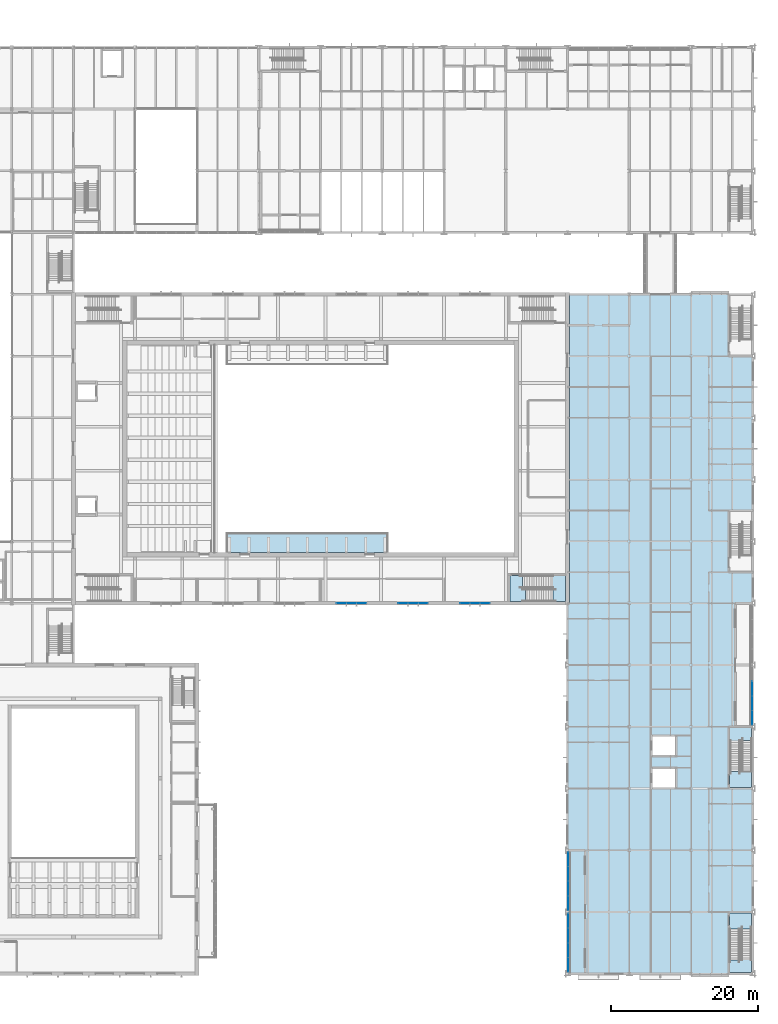
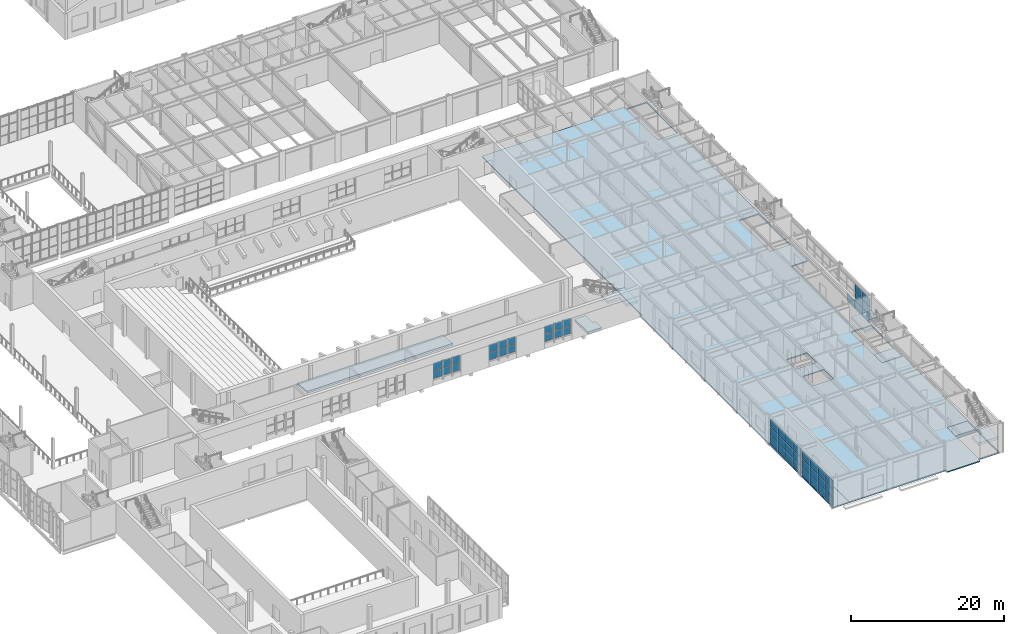
# One storey, part 56 of 127: 49 plates, 9 slabs, 9 elements without a shape of their own.
"""IFC4 building model written with IfcOpenShell, lengths in metres."""

from ifc_helpers import new_model, si_unit, direction, frame, origin, origin_2d, place, context, subcontext, project, spatial, polyline, rectangle, outline, extrude, material, layer, layer_set, type_object, element, aggregate, save


model = new_model("IFC4")

# Units and contexts
model_context = context("Model", 3, precision=1e-05, world=origin(), true_north=direction((0.0, 1.0)))
body_context = subcontext(model_context, "Body", "Model", "MODEL_VIEW")
ifc_project = project(units=[si_unit("LENGTHUNIT", "METRE"), si_unit("AREAUNIT", "SQUARE_METRE"), si_unit("VOLUMEUNIT", "CUBIC_METRE"), si_unit("PLANEANGLEUNIT", "RADIAN"), si_unit("MASSUNIT", "GRAM", prefix="KILO")], contexts=[model_context])

# Site, building, storey
site_placement = place(None, origin())
site = spatial("IfcSite", under=ifc_project, at=site_placement, CompositionType="ELEMENT")
building_placement = place(site_placement, origin())
building = spatial("IfcBuilding", under=site, at=building_placement, Name="Ljudholm Concert House", CompositionType="ELEMENT")
storey_placement = place(building_placement, frame((0.0, 0.0, 5.39990234375)))
storey = spatial("IfcBuildingStorey", under=building, at=storey_placement, Name="L01", CompositionType="ELEMENT", Elevation=5.39990234375)

# Slabs
ifc_material_1 = material(Name="Concrete 5,000 psi", Category="concrete")
ifc_layer_1 = layer(ifc_material_1, 0.179931640625)
ifc_layer_set_1 = layer_set([ifc_layer_1], Name="Concrete 5,000 psi")
slab_type_1 = type_object("IfcSlabType", Name="COMPOSITE FLOOR SLAB 180", PredefinedType="FLOOR", material=ifc_layer_set_1)
slab_1_placement = place(storey_placement, frame((0.0, 0.0, -0.179931640625)))
element("IfcSlab", 1, at=slab_1_placement, inside=storey, type_object=slab_type_1, Name="Composite floor slab", PredefinedType="FLOOR", context=body_context, shape_type="SweptSolid", body=[
    extrude(outline(polyline([(113.389892578125, 3.5703125), (113.389892578125, 4.0), (98.800048828125, 4.0), (98.800048828125, 20.800048828125), (96.39990234375, 20.800048828125), (96.39990234375, 54.39990234375), (96.64990234375, 54.39990234375), (96.64990234375, 96.39990234375), (113.389892578125, 96.39990234375), (113.389892578125, 96.82958984375), (118.324951171875, 96.82958984375), (118.324951171875, 96.39990234375), (121.60009765625, 96.39990234375), (121.60009765625, 54.39990234375), (119.199951171875, 54.39990234375), (119.199951171875, 37.60009765625), (121.60009765625, 37.60009765625), (121.60009765625, 4.0), (118.324951171875, 4.0), (118.324951171875, 3.5703125), (113.389892578125, 3.5703125)]), holes=[polyline([(121.449951171875, 12.27490234375), (118.449951171875, 12.27490234375), (118.449951171875, 4.14990234375), (121.449951171875, 4.14990234375), (121.449951171875, 12.27490234375)]), polyline([(111.074951171875, 31.875), (107.925048828125, 31.875), (107.925048828125, 29.324951171875), (111.074951171875, 29.324951171875), (111.074951171875, 31.875)]), polyline([(121.449951171875, 37.47509765625), (118.449951171875, 37.47509765625), (118.449951171875, 29.324951171875), (121.449951171875, 29.324951171875), (121.449951171875, 37.47509765625)]), polyline([(111.074951171875, 36.27490234375), (107.925048828125, 36.27490234375), (107.925048828125, 33.72509765625), (111.074951171875, 33.72509765625), (111.074951171875, 36.27490234375)]), polyline([(121.449951171875, 66.875), (118.449951171875, 66.875), (118.449951171875, 58.72509765625), (121.449951171875, 58.72509765625), (121.449951171875, 66.875)]), polyline([(121.449951171875, 96.25), (118.449951171875, 96.25), (118.449951171875, 88.125), (121.449951171875, 88.125), (121.449951171875, 96.25)])]), origin(), (0.0, 0.0, 1.0), 0.179931640625),
])
ifc_material_2 = material(Name="Concrete 5,000 psi", Category="concrete")
ifc_layer_2 = layer(ifc_material_2, 0.179931640625)
ifc_layer_set_2 = layer_set([ifc_layer_2], Name="Concrete 5,000 psi")
slab_type_2 = type_object("IfcSlabType", Name="COMPOSITE FLOOR SLAB 180 EXTERNAL", PredefinedType="FLOOR", material=ifc_layer_set_2)
slab_2_placement = place(storey_placement, frame((0.0, 0.0, -0.179931640625)))
element("IfcSlab", 2, at=slab_2_placement, inside=storey, type_object=slab_type_2, Name="Loggia floor slab", PredefinedType="FLOOR", context=body_context, shape_type="SweptSolid", body=[
    extrude(outline(polyline([(96.39990234375, 4.0), (98.800048828125, 4.0), (98.800048828125, 20.800048828125), (96.39990234375, 20.800048828125), (96.39990234375, 4.0)])), origin(), (0.0, 0.0, 1.0), 0.179931640625),
])

# Curtain wall, plates
ifc_material_3 = material(Name="Aluminium curtain wall with impact-rated laminated glass", Category="aluminium")
curtain_wall_type_1 = type_object("IfcCurtainWallType", Name="CURTAIN WALL 1400", PredefinedType="NOTDEFINED", material=ifc_material_3)
curtain_wall_1_placement = place(storey_placement, origin())
curtain_wall_1 = element("IfcCurtainWall", 3, at=curtain_wall_1_placement, inside=storey, type_object=curtain_wall_type_1, Name="Promenade curtain wall", PredefinedType="NOTDEFINED")
ifc_material_4 = material(Name="Impact-rated laminated glass", Category="glass")
ifc_layer_3 = layer(ifc_material_4, 0.028076171875)
ifc_layer_set_3 = layer_set([ifc_layer_3], Name="Impact-rated laminated glass")
plate_type_1 = type_object("IfcPlateType", Name="CURTAIN PANEL 28", PredefinedType="CURTAIN_PANEL", material=ifc_layer_set_3)
plate_1_placement = place(storey_placement, frame((65.635009765625, 54.39990234375, 0.960205078125), z_axis=(0.0, 0.0, 1.0), x_axis=(1.0, 0.0, 0.0)))
plate_1 = element("IfcPlate", 4, at=plate_1_placement, type_object=plate_type_1, Name="Curtain wall panel", PredefinedType="CURTAIN_PANEL", context=body_context, shape_type="SweptSolid", body=[
    extrude(rectangle(XDim=1.2900390625, YDim=0.028076171875, at=origin_2d()), origin(), (0.0, 0.0, 1.0), 1.2099609375),
])
plate_2_placement = place(storey_placement, frame((65.635009765625, 54.39990234375, 2.230224609375), z_axis=(0.0, 0.0, 1.0), x_axis=(1.0, 0.0, 0.0)))
plate_2 = element("IfcPlate", 5, at=plate_2_placement, type_object=plate_type_1, Name="Curtain wall panel", PredefinedType="CURTAIN_PANEL", context=body_context, shape_type="SweptSolid", body=[
    extrude(rectangle(XDim=1.2900390625, YDim=0.028076171875, at=origin_2d()), origin(), (0.0, 0.0, 1.0), 1.2099609375),
])
plate_3_placement = place(storey_placement, frame((67.0, 54.39990234375, 0.960205078125), z_axis=(0.0, 0.0, 1.0), x_axis=(1.0, 0.0, 0.0)))
plate_3 = element("IfcPlate", 6, at=plate_3_placement, type_object=plate_type_1, Name="Curtain wall panel", PredefinedType="CURTAIN_PANEL", context=body_context, shape_type="SweptSolid", body=[
    extrude(rectangle(XDim=1.320068359375, YDim=0.028076171875, at=origin_2d()), origin(), (0.0, 0.0, 1.0), 1.2099609375),
])
plate_4_placement = place(storey_placement, frame((67.0, 54.39990234375, 2.230224609375), z_axis=(0.0, 0.0, 1.0), x_axis=(1.0, 0.0, 0.0)))
plate_4 = element("IfcPlate", 7, at=plate_4_placement, type_object=plate_type_1, Name="Curtain wall panel", PredefinedType="CURTAIN_PANEL", context=body_context, shape_type="SweptSolid", body=[
    extrude(rectangle(XDim=1.320068359375, YDim=0.028076171875, at=origin_2d()), origin(), (0.0, 0.0, 1.0), 1.2099609375),
])
plate_5_placement = place(storey_placement, frame((68.364990234375, 54.39990234375, 0.960205078125), z_axis=(0.0, 0.0, 1.0), x_axis=(1.0, 0.0, 0.0)))
plate_5 = element("IfcPlate", 8, at=plate_5_placement, type_object=plate_type_1, Name="Curtain wall panel", PredefinedType="CURTAIN_PANEL", context=body_context, shape_type="SweptSolid", body=[
    extrude(rectangle(XDim=1.2900390625, YDim=0.028076171875, at=origin_2d()), origin(), (0.0, 0.0, 1.0), 1.2099609375),
])
plate_6_placement = place(storey_placement, frame((68.364990234375, 54.39990234375, 2.230224609375), z_axis=(0.0, 0.0, 1.0), x_axis=(1.0, 0.0, 0.0)))
plate_6 = element("IfcPlate", 9, at=plate_6_placement, type_object=plate_type_1, Name="Curtain wall panel", PredefinedType="CURTAIN_PANEL", context=body_context, shape_type="SweptSolid", body=[
    extrude(rectangle(XDim=1.2900390625, YDim=0.028076171875, at=origin_2d()), origin(), (0.0, 0.0, 1.0), 1.2099609375),
])
aggregate(curtain_wall_1, [plate_1, plate_2, plate_3, plate_4, plate_5, plate_6])

curtain_wall_2_placement = place(storey_placement, origin())
curtain_wall_2 = element("IfcCurtainWall", 10, at=curtain_wall_2_placement, inside=storey, type_object=curtain_wall_type_1, Name="Promenade curtain wall", PredefinedType="NOTDEFINED")
plate_7_placement = place(storey_placement, frame((74.034912109375, 54.39990234375, 0.960205078125), z_axis=(0.0, 0.0, 1.0), x_axis=(1.0, 0.0, 0.0)))
plate_7 = element("IfcPlate", 11, at=plate_7_placement, type_object=plate_type_1, Name="Curtain wall panel", PredefinedType="CURTAIN_PANEL", context=body_context, shape_type="SweptSolid", body=[
    extrude(rectangle(XDim=1.2900390625, YDim=0.028076171875, at=origin_2d()), origin(), (0.0, 0.0, 1.0), 1.2099609375),
])
plate_8_placement = place(storey_placement, frame((74.034912109375, 54.39990234375, 2.230224609375), z_axis=(0.0, 0.0, 1.0), x_axis=(1.0, 0.0, 0.0)))
plate_8 = element("IfcPlate", 12, at=plate_8_placement, type_object=plate_type_1, Name="Curtain wall panel", PredefinedType="CURTAIN_PANEL", context=body_context, shape_type="SweptSolid", body=[
    extrude(rectangle(XDim=1.2900390625, YDim=0.028076171875, at=origin_2d()), origin(), (0.0, 0.0, 1.0), 1.2099609375),
])
plate_9_placement = place(storey_placement, frame((75.39990234375, 54.39990234375, 0.960205078125), z_axis=(0.0, 0.0, 1.0), x_axis=(1.0, 0.0, 0.0)))
plate_9 = element("IfcPlate", 13, at=plate_9_placement, type_object=plate_type_1, Name="Curtain wall panel", PredefinedType="CURTAIN_PANEL", context=body_context, shape_type="SweptSolid", body=[
    extrude(rectangle(XDim=1.320068359375, YDim=0.028076171875, at=origin_2d()), origin(), (0.0, 0.0, 1.0), 1.2099609375),
])
plate_10_placement = place(storey_placement, frame((75.39990234375, 54.39990234375, 2.230224609375), z_axis=(0.0, 0.0, 1.0), x_axis=(1.0, 0.0, 0.0)))
plate_10 = element("IfcPlate", 14, at=plate_10_placement, type_object=plate_type_1, Name="Curtain wall panel", PredefinedType="CURTAIN_PANEL", context=body_context, shape_type="SweptSolid", body=[
    extrude(rectangle(XDim=1.320068359375, YDim=0.028076171875, at=origin_2d()), origin(), (0.0, 0.0, 1.0), 1.2099609375),
])
plate_11_placement = place(storey_placement, frame((76.764892578125, 54.39990234375, 0.960205078125), z_axis=(0.0, 0.0, 1.0), x_axis=(1.0, 0.0, 0.0)))
plate_11 = element("IfcPlate", 15, at=plate_11_placement, type_object=plate_type_1, Name="Curtain wall panel", PredefinedType="CURTAIN_PANEL", context=body_context, shape_type="SweptSolid", body=[
    extrude(rectangle(XDim=1.2900390625, YDim=0.028076171875, at=origin_2d()), origin(), (0.0, 0.0, 1.0), 1.2099609375),
])
plate_12_placement = place(storey_placement, frame((76.764892578125, 54.39990234375, 2.230224609375), z_axis=(0.0, 0.0, 1.0), x_axis=(1.0, 0.0, 0.0)))
plate_12 = element("IfcPlate", 16, at=plate_12_placement, type_object=plate_type_1, Name="Curtain wall panel", PredefinedType="CURTAIN_PANEL", context=body_context, shape_type="SweptSolid", body=[
    extrude(rectangle(XDim=1.2900390625, YDim=0.028076171875, at=origin_2d()), origin(), (0.0, 0.0, 1.0), 1.2099609375),
])
aggregate(curtain_wall_2, [plate_7, plate_8, plate_9, plate_10, plate_11, plate_12])

curtain_wall_3_placement = place(storey_placement, origin())
curtain_wall_3 = element("IfcCurtainWall", 17, at=curtain_wall_3_placement, inside=storey, type_object=curtain_wall_type_1, Name="Promenade curtain wall", PredefinedType="NOTDEFINED")
plate_13_placement = place(storey_placement, frame((82.43505859375, 54.39990234375, 0.960205078125), z_axis=(0.0, 0.0, 1.0), x_axis=(1.0, 0.0, 0.0)))
plate_13 = element("IfcPlate", 18, at=plate_13_placement, type_object=plate_type_1, Name="Curtain wall panel", PredefinedType="CURTAIN_PANEL", context=body_context, shape_type="SweptSolid", body=[
    extrude(rectangle(XDim=1.2900390625, YDim=0.028076171875, at=origin_2d()), origin(), (0.0, 0.0, 1.0), 1.2099609375),
])
plate_14_placement = place(storey_placement, frame((82.43505859375, 54.39990234375, 2.230224609375), z_axis=(0.0, 0.0, 1.0), x_axis=(1.0, 0.0, 0.0)))
plate_14 = element("IfcPlate", 19, at=plate_14_placement, type_object=plate_type_1, Name="Curtain wall panel", PredefinedType="CURTAIN_PANEL", context=body_context, shape_type="SweptSolid", body=[
    extrude(rectangle(XDim=1.2900390625, YDim=0.028076171875, at=origin_2d()), origin(), (0.0, 0.0, 1.0), 1.2099609375),
])
plate_15_placement = place(storey_placement, frame((83.800048828125, 54.39990234375, 0.960205078125), z_axis=(0.0, 0.0, 1.0), x_axis=(1.0, 0.0, 0.0)))
plate_15 = element("IfcPlate", 20, at=plate_15_placement, type_object=plate_type_1, Name="Curtain wall panel", PredefinedType="CURTAIN_PANEL", context=body_context, shape_type="SweptSolid", body=[
    extrude(rectangle(XDim=1.320068359375, YDim=0.028076171875, at=origin_2d()), origin(), (0.0, 0.0, 1.0), 1.2099609375),
])
plate_16_placement = place(storey_placement, frame((83.800048828125, 54.39990234375, 2.230224609375), z_axis=(0.0, 0.0, 1.0), x_axis=(1.0, 0.0, 0.0)))
plate_16 = element("IfcPlate", 21, at=plate_16_placement, type_object=plate_type_1, Name="Curtain wall panel", PredefinedType="CURTAIN_PANEL", context=body_context, shape_type="SweptSolid", body=[
    extrude(rectangle(XDim=1.320068359375, YDim=0.028076171875, at=origin_2d()), origin(), (0.0, 0.0, 1.0), 1.2099609375),
])
plate_17_placement = place(storey_placement, frame((85.1650390625, 54.39990234375, 0.960205078125), z_axis=(0.0, 0.0, 1.0), x_axis=(1.0, 0.0, 0.0)))
plate_17 = element("IfcPlate", 22, at=plate_17_placement, type_object=plate_type_1, Name="Curtain wall panel", PredefinedType="CURTAIN_PANEL", context=body_context, shape_type="SweptSolid", body=[
    extrude(rectangle(XDim=1.2900390625, YDim=0.028076171875, at=origin_2d()), origin(), (0.0, 0.0, 1.0), 1.2099609375),
])
plate_18_placement = place(storey_placement, frame((85.1650390625, 54.39990234375, 2.230224609375), z_axis=(0.0, 0.0, 1.0), x_axis=(1.0, 0.0, 0.0)))
plate_18 = element("IfcPlate", 23, at=plate_18_placement, type_object=plate_type_1, Name="Curtain wall panel", PredefinedType="CURTAIN_PANEL", context=body_context, shape_type="SweptSolid", body=[
    extrude(rectangle(XDim=1.2900390625, YDim=0.028076171875, at=origin_2d()), origin(), (0.0, 0.0, 1.0), 1.2099609375),
])
aggregate(curtain_wall_3, [plate_13, plate_14, plate_15, plate_16, plate_17, plate_18])

ifc_material_5 = material(Name="Aluminium curtain wall with fixed aluminium storm louvre blades, timber-grain finish", Category="aluminium")
curtain_wall_type_2 = type_object("IfcCurtainWallType", Name="CURTAIN WALL 2000", PredefinedType="NOTDEFINED", material=ifc_material_5)
curtain_wall_4_placement = place(storey_placement, origin())
curtain_wall_4 = element("IfcCurtainWall", 24, at=curtain_wall_4_placement, inside=storey, type_object=curtain_wall_type_2, Name="Storm louvre screen", PredefinedType="NOTDEFINED")
ifc_material_6 = material(Name="Fixed aluminium storm louvre blades, timber-grain finish", Category="aluminium")
ifc_layer_4 = layer(ifc_material_6, 0.030029296875)
ifc_layer_set_4 = layer_set([ifc_layer_4], Name="Fixed aluminium storm louvre blades, timber-grain finish")
plate_type_2 = type_object("IfcPlateType", Name="CURTAIN PANEL 30", PredefinedType="CURTAIN_PANEL", material=ifc_layer_set_4)
plate_19_placement = place(storey_placement, frame((96.5, 5.20751953125, 0.06005859375), z_axis=(0.0, 0.0, 1.0), x_axis=(0.0, 1.0, 0.0)))
plate_19 = element("IfcPlate", 25, at=plate_19_placement, type_object=plate_type_2, Name="Curtain wall panel", PredefinedType="CURTAIN_PANEL", context=body_context, shape_type="SweptSolid", body=[
    extrude(rectangle(XDim=1.9150390625, YDim=0.030029296875, at=origin_2d()), origin(), (0.0, 0.0, 1.0), 1.272216796875),
])
plate_20_placement = place(storey_placement, frame((96.5, 5.20751953125, 1.392333984375), z_axis=(0.0, 0.0, 1.0), x_axis=(0.0, 1.0, 0.0)))
plate_20 = element("IfcPlate", 26, at=plate_20_placement, type_object=plate_type_2, Name="Curtain wall panel", PredefinedType="CURTAIN_PANEL", context=body_context, shape_type="SweptSolid", body=[
    extrude(rectangle(XDim=1.9150390625, YDim=0.030029296875, at=origin_2d()), origin(), (0.0, 0.0, 1.0), 1.30224609375),
])
plate_21_placement = place(storey_placement, frame((96.5, 5.20751953125, 2.75439453125), z_axis=(0.0, 0.0, 1.0), x_axis=(0.0, 1.0, 0.0)))
plate_21 = element("IfcPlate", 27, at=plate_21_placement, type_object=plate_type_2, Name="Curtain wall panel", PredefinedType="CURTAIN_PANEL", context=body_context, shape_type="SweptSolid", body=[
    extrude(rectangle(XDim=1.9150390625, YDim=0.030029296875, at=origin_2d()), origin(), (0.0, 0.0, 1.0), 1.272216796875),
])
plate_22_placement = place(storey_placement, frame((96.5, 7.197509765625, 0.06005859375), z_axis=(0.0, 0.0, 1.0), x_axis=(0.0, 1.0, 0.0)))
plate_22 = element("IfcPlate", 28, at=plate_22_placement, type_object=plate_type_2, Name="Curtain wall panel", PredefinedType="CURTAIN_PANEL", context=body_context, shape_type="SweptSolid", body=[
    extrude(rectangle(XDim=1.945068359375, YDim=0.030029296875, at=origin_2d()), origin(), (0.0, 0.0, 1.0), 1.272216796875),
])
plate_23_placement = place(storey_placement, frame((96.5, 7.197509765625, 1.392333984375), z_axis=(0.0, 0.0, 1.0), x_axis=(0.0, 1.0, 0.0)))
plate_23 = element("IfcPlate", 29, at=plate_23_placement, type_object=plate_type_2, Name="Curtain wall panel", PredefinedType="CURTAIN_PANEL", context=body_context, shape_type="SweptSolid", body=[
    extrude(rectangle(XDim=1.945068359375, YDim=0.030029296875, at=origin_2d()), origin(), (0.0, 0.0, 1.0), 1.30224609375),
])
plate_24_placement = place(storey_placement, frame((96.5, 7.197509765625, 2.75439453125), z_axis=(0.0, 0.0, 1.0), x_axis=(0.0, 1.0, 0.0)))
plate_24 = element("IfcPlate", 30, at=plate_24_placement, type_object=plate_type_2, Name="Curtain wall panel", PredefinedType="CURTAIN_PANEL", context=body_context, shape_type="SweptSolid", body=[
    extrude(rectangle(XDim=1.945068359375, YDim=0.030029296875, at=origin_2d()), origin(), (0.0, 0.0, 1.0), 1.272216796875),
])
plate_25_placement = place(storey_placement, frame((96.5, 9.202392578125, 0.06005859375), z_axis=(0.0, 0.0, 1.0), x_axis=(0.0, 1.0, 0.0)))
plate_25 = element("IfcPlate", 31, at=plate_25_placement, type_object=plate_type_2, Name="Curtain wall panel", PredefinedType="CURTAIN_PANEL", context=body_context, shape_type="SweptSolid", body=[
    extrude(rectangle(XDim=1.945068359375, YDim=0.030029296875, at=origin_2d()), origin(), (0.0, 0.0, 1.0), 1.272216796875),
])
plate_26_placement = place(storey_placement, frame((96.5, 9.202392578125, 1.392333984375), z_axis=(0.0, 0.0, 1.0), x_axis=(0.0, 1.0, 0.0)))
plate_26 = element("IfcPlate", 32, at=plate_26_placement, type_object=plate_type_2, Name="Curtain wall panel", PredefinedType="CURTAIN_PANEL", context=body_context, shape_type="SweptSolid", body=[
    extrude(rectangle(XDim=1.945068359375, YDim=0.030029296875, at=origin_2d()), origin(), (0.0, 0.0, 1.0), 1.30224609375),
])
plate_27_placement = place(storey_placement, frame((96.5, 9.202392578125, 2.75439453125), z_axis=(0.0, 0.0, 1.0), x_axis=(0.0, 1.0, 0.0)))
plate_27 = element("IfcPlate", 33, at=plate_27_placement, type_object=plate_type_2, Name="Curtain wall panel", PredefinedType="CURTAIN_PANEL", context=body_context, shape_type="SweptSolid", body=[
    extrude(rectangle(XDim=1.945068359375, YDim=0.030029296875, at=origin_2d()), origin(), (0.0, 0.0, 1.0), 1.272216796875),
])
plate_28_placement = place(storey_placement, frame((96.5, 11.1923828125, 0.06005859375), z_axis=(0.0, 0.0, 1.0), x_axis=(0.0, 1.0, 0.0)))
plate_28 = element("IfcPlate", 34, at=plate_28_placement, type_object=plate_type_2, Name="Curtain wall panel", PredefinedType="CURTAIN_PANEL", context=body_context, shape_type="SweptSolid", body=[
    extrude(rectangle(XDim=1.9150390625, YDim=0.030029296875, at=origin_2d()), origin(), (0.0, 0.0, 1.0), 1.272216796875),
])
plate_29_placement = place(storey_placement, frame((96.5, 11.1923828125, 1.392333984375), z_axis=(0.0, 0.0, 1.0), x_axis=(0.0, 1.0, 0.0)))
plate_29 = element("IfcPlate", 35, at=plate_29_placement, type_object=plate_type_2, Name="Curtain wall panel", PredefinedType="CURTAIN_PANEL", context=body_context, shape_type="SweptSolid", body=[
    extrude(rectangle(XDim=1.9150390625, YDim=0.030029296875, at=origin_2d()), origin(), (0.0, 0.0, 1.0), 1.30224609375),
])
plate_30_placement = place(storey_placement, frame((96.5, 11.1923828125, 2.75439453125), z_axis=(0.0, 0.0, 1.0), x_axis=(0.0, 1.0, 0.0)))
plate_30 = element("IfcPlate", 36, at=plate_30_placement, type_object=plate_type_2, Name="Curtain wall panel", PredefinedType="CURTAIN_PANEL", context=body_context, shape_type="SweptSolid", body=[
    extrude(rectangle(XDim=1.9150390625, YDim=0.030029296875, at=origin_2d()), origin(), (0.0, 0.0, 1.0), 1.272216796875),
])
aggregate(curtain_wall_4, [plate_19, plate_20, plate_21, plate_22, plate_23, plate_24, plate_25, plate_26, plate_27, plate_28, plate_29, plate_30])

curtain_wall_5_placement = place(storey_placement, origin())
curtain_wall_5 = element("IfcCurtainWall", 37, at=curtain_wall_5_placement, inside=storey, type_object=curtain_wall_type_2, Name="Storm louvre screen", PredefinedType="NOTDEFINED")
plate_31_placement = place(storey_placement, frame((96.5, 13.607421875, 0.06005859375), z_axis=(0.0, 0.0, 1.0), x_axis=(0.0, 1.0, 0.0)))
plate_31 = element("IfcPlate", 38, at=plate_31_placement, type_object=plate_type_2, Name="Curtain wall panel", PredefinedType="CURTAIN_PANEL", context=body_context, shape_type="SweptSolid", body=[
    extrude(rectangle(XDim=1.9150390625, YDim=0.030029296875, at=origin_2d()), origin(), (0.0, 0.0, 1.0), 1.272216796875),
])
plate_32_placement = place(storey_placement, frame((96.5, 13.607421875, 1.392333984375), z_axis=(0.0, 0.0, 1.0), x_axis=(0.0, 1.0, 0.0)))
plate_32 = element("IfcPlate", 39, at=plate_32_placement, type_object=plate_type_2, Name="Curtain wall panel", PredefinedType="CURTAIN_PANEL", context=body_context, shape_type="SweptSolid", body=[
    extrude(rectangle(XDim=1.9150390625, YDim=0.030029296875, at=origin_2d()), origin(), (0.0, 0.0, 1.0), 1.30224609375),
])
plate_33_placement = place(storey_placement, frame((96.5, 13.607421875, 2.75439453125), z_axis=(0.0, 0.0, 1.0), x_axis=(0.0, 1.0, 0.0)))
plate_33 = element("IfcPlate", 40, at=plate_33_placement, type_object=plate_type_2, Name="Curtain wall panel", PredefinedType="CURTAIN_PANEL", context=body_context, shape_type="SweptSolid", body=[
    extrude(rectangle(XDim=1.9150390625, YDim=0.030029296875, at=origin_2d()), origin(), (0.0, 0.0, 1.0), 1.272216796875),
])
plate_34_placement = place(storey_placement, frame((96.5, 15.597412109375, 0.06005859375), z_axis=(0.0, 0.0, 1.0), x_axis=(0.0, 1.0, 0.0)))
plate_34 = element("IfcPlate", 41, at=plate_34_placement, type_object=plate_type_2, Name="Curtain wall panel", PredefinedType="CURTAIN_PANEL", context=body_context, shape_type="SweptSolid", body=[
    extrude(rectangle(XDim=1.945068359375, YDim=0.030029296875, at=origin_2d()), origin(), (0.0, 0.0, 1.0), 1.272216796875),
])
plate_35_placement = place(storey_placement, frame((96.5, 15.597412109375, 1.392333984375), z_axis=(0.0, 0.0, 1.0), x_axis=(0.0, 1.0, 0.0)))
plate_35 = element("IfcPlate", 42, at=plate_35_placement, type_object=plate_type_2, Name="Curtain wall panel", PredefinedType="CURTAIN_PANEL", context=body_context, shape_type="SweptSolid", body=[
    extrude(rectangle(XDim=1.945068359375, YDim=0.030029296875, at=origin_2d()), origin(), (0.0, 0.0, 1.0), 1.30224609375),
])
plate_36_placement = place(storey_placement, frame((96.5, 15.597412109375, 2.75439453125), z_axis=(0.0, 0.0, 1.0), x_axis=(0.0, 1.0, 0.0)))
plate_36 = element("IfcPlate", 43, at=plate_36_placement, type_object=plate_type_2, Name="Curtain wall panel", PredefinedType="CURTAIN_PANEL", context=body_context, shape_type="SweptSolid", body=[
    extrude(rectangle(XDim=1.945068359375, YDim=0.030029296875, at=origin_2d()), origin(), (0.0, 0.0, 1.0), 1.272216796875),
])
plate_37_placement = place(storey_placement, frame((96.5, 17.6025390625, 0.06005859375), z_axis=(0.0, 0.0, 1.0), x_axis=(0.0, 1.0, 0.0)))
plate_37 = element("IfcPlate", 44, at=plate_37_placement, type_object=plate_type_2, Name="Curtain wall panel", PredefinedType="CURTAIN_PANEL", context=body_context, shape_type="SweptSolid", body=[
    extrude(rectangle(XDim=1.945068359375, YDim=0.030029296875, at=origin_2d()), origin(), (0.0, 0.0, 1.0), 1.272216796875),
])
plate_38_placement = place(storey_placement, frame((96.5, 17.6025390625, 1.392333984375), z_axis=(0.0, 0.0, 1.0), x_axis=(0.0, 1.0, 0.0)))
plate_38 = element("IfcPlate", 45, at=plate_38_placement, type_object=plate_type_2, Name="Curtain wall panel", PredefinedType="CURTAIN_PANEL", context=body_context, shape_type="SweptSolid", body=[
    extrude(rectangle(XDim=1.945068359375, YDim=0.030029296875, at=origin_2d()), origin(), (0.0, 0.0, 1.0), 1.30224609375),
])
plate_39_placement = place(storey_placement, frame((96.5, 17.6025390625, 2.75439453125), z_axis=(0.0, 0.0, 1.0), x_axis=(0.0, 1.0, 0.0)))
plate_39 = element("IfcPlate", 46, at=plate_39_placement, type_object=plate_type_2, Name="Curtain wall panel", PredefinedType="CURTAIN_PANEL", context=body_context, shape_type="SweptSolid", body=[
    extrude(rectangle(XDim=1.945068359375, YDim=0.030029296875, at=origin_2d()), origin(), (0.0, 0.0, 1.0), 1.272216796875),
])
plate_40_placement = place(storey_placement, frame((96.5, 19.592529296875, 0.06005859375), z_axis=(0.0, 0.0, 1.0), x_axis=(0.0, 1.0, 0.0)))
plate_40 = element("IfcPlate", 47, at=plate_40_placement, type_object=plate_type_2, Name="Curtain wall panel", PredefinedType="CURTAIN_PANEL", context=body_context, shape_type="SweptSolid", body=[
    extrude(rectangle(XDim=1.9150390625, YDim=0.030029296875, at=origin_2d()), origin(), (0.0, 0.0, 1.0), 1.272216796875),
])
plate_41_placement = place(storey_placement, frame((96.5, 19.592529296875, 1.392333984375), z_axis=(0.0, 0.0, 1.0), x_axis=(0.0, 1.0, 0.0)))
plate_41 = element("IfcPlate", 48, at=plate_41_placement, type_object=plate_type_2, Name="Curtain wall panel", PredefinedType="CURTAIN_PANEL", context=body_context, shape_type="SweptSolid", body=[
    extrude(rectangle(XDim=1.9150390625, YDim=0.030029296875, at=origin_2d()), origin(), (0.0, 0.0, 1.0), 1.30224609375),
])
plate_42_placement = place(storey_placement, frame((96.5, 19.592529296875, 2.75439453125), z_axis=(0.0, 0.0, 1.0), x_axis=(0.0, 1.0, 0.0)))
plate_42 = element("IfcPlate", 49, at=plate_42_placement, type_object=plate_type_2, Name="Curtain wall panel", PredefinedType="CURTAIN_PANEL", context=body_context, shape_type="SweptSolid", body=[
    extrude(rectangle(XDim=1.9150390625, YDim=0.030029296875, at=origin_2d()), origin(), (0.0, 0.0, 1.0), 1.272216796875),
])
aggregate(curtain_wall_5, [plate_31, plate_32, plate_33, plate_34, plate_35, plate_36, plate_37, plate_38, plate_39, plate_40, plate_41, plate_42])

curtain_wall_6_placement = place(storey_placement, origin())
curtain_wall_6 = element("IfcCurtainWall", 50, at=curtain_wall_6_placement, inside=storey, type_object=curtain_wall_type_2, Name="Storm louvre screen", PredefinedType="NOTDEFINED")
plate_43_placement = place(storey_placement, frame((121.5, 38.8076171875, 0.06005859375), z_axis=(0.0, 0.0, 1.0), x_axis=(0.0, 1.0, 0.0)))
plate_43 = element("IfcPlate", 51, at=plate_43_placement, type_object=plate_type_2, Name="Curtain wall panel", PredefinedType="CURTAIN_PANEL", context=body_context, shape_type="SweptSolid", body=[
    extrude(rectangle(XDim=1.9150390625, YDim=0.030029296875, at=origin_2d()), origin(), (0.0, 0.0, 1.0), 1.272216796875),
])
plate_44_placement = place(storey_placement, frame((121.5, 38.8076171875, 1.392333984375), z_axis=(0.0, 0.0, 1.0), x_axis=(0.0, 1.0, 0.0)))
plate_44 = element("IfcPlate", 52, at=plate_44_placement, type_object=plate_type_2, Name="Curtain wall panel", PredefinedType="CURTAIN_PANEL", context=body_context, shape_type="SweptSolid", body=[
    extrude(rectangle(XDim=1.9150390625, YDim=0.030029296875, at=origin_2d()), origin(), (0.0, 0.0, 1.0), 1.30224609375),
])
plate_45_placement = place(storey_placement, frame((121.5, 38.8076171875, 2.75439453125), z_axis=(0.0, 0.0, 1.0), x_axis=(0.0, 1.0, 0.0)))
plate_45 = element("IfcPlate", 53, at=plate_45_placement, type_object=plate_type_2, Name="Curtain wall panel", PredefinedType="CURTAIN_PANEL", context=body_context, shape_type="SweptSolid", body=[
    extrude(rectangle(XDim=1.9150390625, YDim=0.030029296875, at=origin_2d()), origin(), (0.0, 0.0, 1.0), 1.272216796875),
])
plate_46_placement = place(storey_placement, frame((121.5, 40.797607421875, 0.06005859375), z_axis=(0.0, 0.0, 1.0), x_axis=(0.0, 1.0, 0.0)))
plate_46 = element("IfcPlate", 54, at=plate_46_placement, type_object=plate_type_2, Name="Curtain wall panel", PredefinedType="CURTAIN_PANEL", context=body_context, shape_type="SweptSolid", body=[
    extrude(rectangle(XDim=1.945068359375, YDim=0.030029296875, at=origin_2d()), origin(), (0.0, 0.0, 1.0), 1.272216796875),
])
plate_47_placement = place(storey_placement, frame((121.5, 40.797607421875, 1.392333984375), z_axis=(0.0, 0.0, 1.0), x_axis=(0.0, 1.0, 0.0)))
plate_47 = element("IfcPlate", 55, at=plate_47_placement, type_object=plate_type_2, Name="Curtain wall panel", PredefinedType="CURTAIN_PANEL", context=body_context, shape_type="SweptSolid", body=[
    extrude(rectangle(XDim=1.945068359375, YDim=0.030029296875, at=origin_2d()), origin(), (0.0, 0.0, 1.0), 1.30224609375),
])
plate_48_placement = place(storey_placement, frame((121.5, 40.797607421875, 2.75439453125), z_axis=(0.0, 0.0, 1.0), x_axis=(0.0, 1.0, 0.0)))
plate_48 = element("IfcPlate", 56, at=plate_48_placement, type_object=plate_type_2, Name="Curtain wall panel", PredefinedType="CURTAIN_PANEL", context=body_context, shape_type="SweptSolid", body=[
    extrude(rectangle(XDim=1.945068359375, YDim=0.030029296875, at=origin_2d()), origin(), (0.0, 0.0, 1.0), 1.272216796875),
])
plate_49_placement = place(storey_placement, frame((121.5, 42.802490234375, 0.06005859375), z_axis=(0.0, 0.0, 1.0), x_axis=(0.0, 1.0, 0.0)))
plate_49 = element("IfcPlate", 57, at=plate_49_placement, type_object=plate_type_2, Name="Curtain wall panel", PredefinedType="CURTAIN_PANEL", context=body_context, shape_type="SweptSolid", body=[
    extrude(rectangle(XDim=1.945068359375, YDim=0.030029296875, at=origin_2d()), origin(), (0.0, 0.0, 1.0), 1.272216796875),
])
aggregate(curtain_wall_6, [plate_43, plate_44, plate_45, plate_46, plate_47, plate_48, plate_49])

# Slabs
ifc_material_7 = material(Name="Concrete 5,000 psi", Category="concrete")
ifc_layer_5 = layer(ifc_material_7, 0.300048828125)
ifc_layer_set_5 = layer_set([ifc_layer_5], Name="Concrete 5,000 psi")
slab_type_3 = type_object("IfcSlabType", Name="RAKED TIER SLAB 300", PredefinedType="USERDEFINED", material=ifc_layer_set_5)
slab_3_placement = place(storey_placement, frame((72.0, 61.300048828125, 0.0), z_axis=(0.0, 0.11036247802, 0.993891404252), x_axis=(0.0, 0.993891404252, -0.11036247802)))
element("IfcSlab", 58, at=slab_3_placement, inside=storey, type_object=slab_type_3, Name="Stand Lower gallery South", ObjectType="SEATING TIER", PredefinedType="USERDEFINED", context=body_context, shape_type="SweptSolid", body=[
    extrude(outline(polyline([(0.0, 0.0), (2.7165454498602006, 0.0), (2.7165454498602006, 22.0), (0.0, 22.0), (0.0, 0.0)])), origin(), (0.0, 0.0, -1.0), 0.300048828125),
])
ifc_material_8 = material(Name="Concrete 5,000 psi", Category="concrete")
ifc_layer_6 = layer(ifc_material_8, 0.39990234375)
ifc_layer_set_6 = layer_set([ifc_layer_6], Name="Concrete 5,000 psi")
slab_type_4 = type_object("IfcSlabType", Name="RC FLOOR SLAB 400", PredefinedType="FLOOR", material=ifc_layer_set_6)
slab_4_placement = place(storey_placement, frame((0.0, 0.0, -0.39990234375)))
element("IfcSlab", 59, at=slab_4_placement, inside=storey, type_object=slab_type_4, Name="Stair arrival floor EH3", PredefinedType="FLOOR", context=body_context, shape_type="SweptSolid", body=[
    extrude(outline(polyline([(88.550048828125, 54.64990234375), (88.550048828125, 58.14990234375), (90.25048828125, 58.14990234375), (90.25048828125, 56.35009765625), (90.64990234375, 56.35009765625), (90.64990234375, 54.64990234375), (90.25048828125, 54.64990234375), (90.25, 54.64990234375), (88.550048828125, 54.64990234375)])), origin(), (0.0, 0.0, 1.0), 0.39990234375),
])

# Stair, slab
ifc_material_9 = material(Name="Concrete 5,000 psi", Category="concrete")
stair_type_1 = type_object("IfcStairType", Name="RC STAIR 1700x171x323", PredefinedType="HALF_TURN_STAIR", material=ifc_material_9)
stair_1_placement = place(storey_placement, origin())
stair_1 = element("IfcStair", 60, at=stair_1_placement, inside=storey, type_object=stair_type_1, Name="Exit stair EH3", PredefinedType="HALF_TURN_STAIR")
ifc_material_10 = material(Name="Concrete 5,000 psi", Category="concrete")
ifc_layer_7 = layer(ifc_material_10, 0.409912109375)
ifc_layer_set_7 = layer_set([ifc_layer_7], Name="Concrete 5,000 psi")
slab_type_5 = type_object("IfcSlabType", Name="RC LANDING 410", PredefinedType="LANDING", material=ifc_layer_set_7)
slab_5_placement = place(storey_placement, frame((0.0, 0.0, 1.989990234375)))
slab_5 = element("IfcSlab", 61, at=slab_5_placement, type_object=slab_type_5, Name="Stair landing", PredefinedType="LANDING", context=body_context, shape_type="SweptSolid", body=[
    extrude(outline(polyline([(92.6201171875, 58.14990234375), (92.6201171875, 56.449951171875), (94.449462890625, 56.449951171875), (94.449462890625, 54.64990234375), (96.14990234375, 54.64990234375), (96.14990234375, 58.14990234375), (92.6201171875, 58.14990234375)])), origin(), (0.0, 0.0, 1.0), 0.41015625),
])
aggregate(stair_1, [slab_5])

ifc_material_11 = material(Name="Concrete 5,000 psi", Category="concrete")
stair_type_2 = type_object("IfcStairType", Name="RC STAIR 1350x160x300", PredefinedType="HALF_TURN_STAIR", material=ifc_material_11)
stair_2_placement = place(storey_placement, origin())
stair_2 = element("IfcStair", 62, at=stair_2_placement, inside=storey, type_object=stair_type_2, Name="Stair SB1", PredefinedType="HALF_TURN_STAIR")
slab_6_placement = place(storey_placement, frame((0.0, 0.0, 1.989990234375)))
slab_6 = element("IfcSlab", 63, at=slab_6_placement, type_object=slab_type_5, Name="Stair landing", PredefinedType="LANDING", context=body_context, shape_type="SweptSolid", body=[
    extrude(outline(polyline([(121.449951171875, 7.705078125), (120.050048828125, 7.705078125), (120.050048828125, 5.87548828125), (118.449951171875, 5.87548828125), (118.449951171875, 4.14990234375), (121.449951171875, 4.14990234375), (121.449951171875, 7.705078125)])), origin(), (0.0, 0.0, 1.0), 0.41015625),
])
aggregate(stair_2, [slab_6])

stair_3_placement = place(storey_placement, origin())
stair_3 = element("IfcStair", 64, at=stair_3_placement, inside=storey, type_object=stair_type_2, Name="Stair SB2", PredefinedType="HALF_TURN_STAIR")
slab_7_placement = place(storey_placement, frame((0.0, 0.0, 1.989990234375)))
slab_7 = element("IfcSlab", 65, at=slab_7_placement, type_object=slab_type_5, Name="Stair landing", PredefinedType="LANDING", context=body_context, shape_type="SweptSolid", body=[
    extrude(outline(polyline([(118.449951171875, 33.89501953125), (119.85009765625, 33.89501953125), (119.85009765625, 35.724609375), (121.449951171875, 35.724609375), (121.449951171875, 37.47509765625), (118.449951171875, 37.47509765625), (118.449951171875, 33.89501953125)])), origin(), (0.0, 0.0, 1.0), 0.41015625),
])
aggregate(stair_3, [slab_7])

# Slabs
slab_8_placement = place(storey_placement, frame((0.0, 0.0, -0.409912109375)))
element("IfcSlab", 66, at=slab_8_placement, inside=storey, type_object=slab_type_5, Name="Stair arrival slab", PredefinedType="LANDING", context=body_context, shape_type="SweptSolid", body=[
    extrude(outline(polyline([(118.449951171875, 12.27490234375), (121.449951171875, 12.27490234375), (121.449951171875, 10.074462890625), (118.449951171875, 10.074462890625), (118.449951171875, 12.27490234375)])), origin(), (0.0, 0.0, 1.0), 0.409912109375),
])
slab_9_placement = place(storey_placement, frame((0.0, 0.0, -0.409912109375)))
element("IfcSlab", 67, at=slab_9_placement, inside=storey, type_object=slab_type_5, Name="Stair arrival slab", PredefinedType="LANDING", context=body_context, shape_type="SweptSolid", body=[
    extrude(outline(polyline([(121.449951171875, 29.324951171875), (118.449951171875, 29.324951171875), (118.449951171875, 31.525390625), (121.449951171875, 31.525390625), (121.449951171875, 29.324951171875)])), origin(), (0.0, 0.0, 1.0), 0.409912109375),
])

save(model, "model.ifc")
